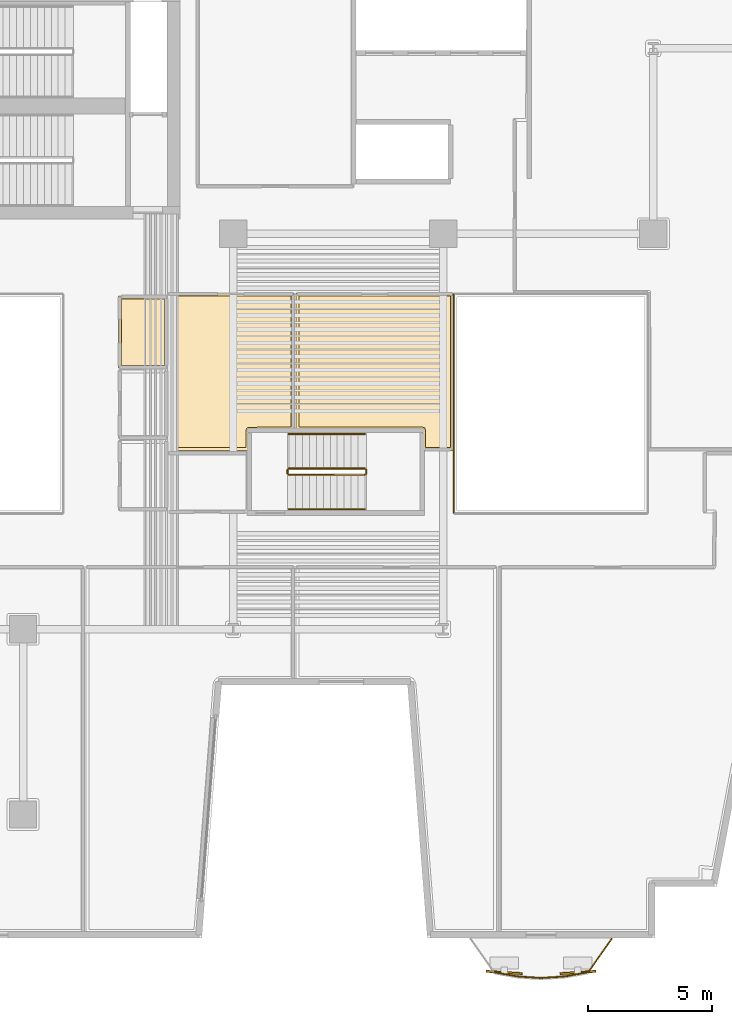
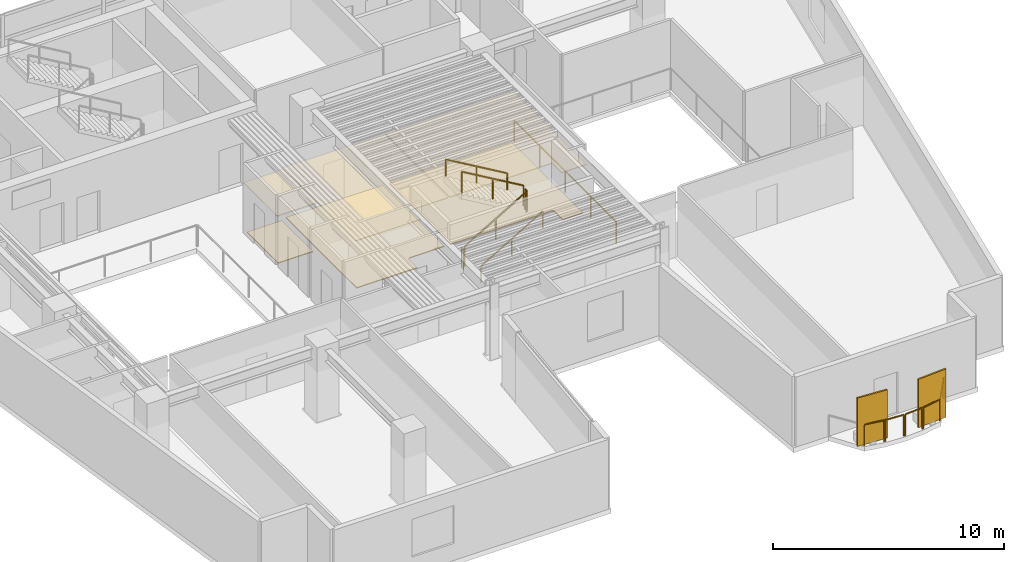
# One storey, part 10 of 12: 12 railings, 6 coverings, 2 shading devices.
"""IFC4 building model written with IfcOpenShell, lengths in metres."""

from ifc_helpers import new_model, si_unit, direction, frame, origin, origin_2d, place, context, subcontext, project, spatial, polyline, rectangle, outline, extrude, material, layer, layer_set, type_object, element, save


model = new_model("IFC4")

# Units and contexts
model_context = context("Model", 3, precision=1e-05, world=origin(), true_north=direction((0.0, 1.0)))
body_context = subcontext(model_context, "Body", "Model", "MODEL_VIEW")
ifc_project = project(units=[si_unit("LENGTHUNIT", "METRE"), si_unit("AREAUNIT", "SQUARE_METRE"), si_unit("VOLUMEUNIT", "CUBIC_METRE"), si_unit("PLANEANGLEUNIT", "RADIAN"), si_unit("MASSUNIT", "GRAM", prefix="KILO")], contexts=[model_context])

# Site, building, storey
site_placement = place(None, origin())
site = spatial("IfcSite", under=ifc_project, at=site_placement, CompositionType="ELEMENT")
building_placement = place(site_placement, origin())
building = spatial("IfcBuilding", under=site, at=building_placement, Name="Caeloran Harvest Quay", CompositionType="ELEMENT")
storey_placement = place(building_placement, frame((0.0, 0.0, 154.85009765625)))
storey = spatial("IfcBuildingStorey", under=building, at=storey_placement, Name="L36", CompositionType="ELEMENT", Elevation=154.85009765625)

# Coverings
ifc_material_1 = material(Name="Perforated Mineral-Fibre Acoustic Ceiling Tile", Category="ceiling")
ifc_layer_1 = layer(ifc_material_1, 0.0400390625, Name="Perforated Mineral-Fibre Acoustic Ceiling Tile")
ifc_layer_set_1 = layer_set([ifc_layer_1], Name="Perforated Mineral-Fibre Acoustic Ceiling Tile")
covering_type_1 = type_object("IfcCoveringType", Name="COV-CEILING-ACOUSTIC", PredefinedType="CEILING", material=ifc_layer_set_1)
covering_1_placement = place(storey_placement, frame((0.0, 0.0, 2.599853515625)))
element("IfcCovering", 1, at=covering_1_placement, inside=storey, type_object=covering_type_1, Name="L36 Male Washroom WC Acoustic Ceiling", PredefinedType="CEILING", context=body_context, shape_type="SweptSolid", body=[
    extrude(outline(polyline([(22.840087890625, 25.56005859375), (20.8701171875, 25.56005859375), (20.8701171875, 28.489990234375), (22.840087890625, 28.489990234375), (22.840087890625, 25.56005859375)])), origin(), (0.0, 0.0, 1.0), 0.0400390625),
])
covering_2_placement = place(storey_placement, frame((0.0, 0.0, 2.599853515625)))
element("IfcCovering", 2, at=covering_2_placement, inside=storey, type_object=covering_type_1, Name="Client Reception Salon Lounge Acoustic Ceiling", PredefinedType="CEILING", context=body_context, shape_type="SweptSolid", body=[
    extrude(outline(polyline([(22.8701171875, 28.512939453125), (22.85009765625, 28.52001953125), (22.85009765625, 28.610107421875), (27.9599609375, 28.610107421875), (27.9599609375, 23.06005859375), (26.139892578125, 23.06005859375), (26.139892578125, 22.239990234375), (22.8701171875, 22.239990234375), (22.8701171875, 28.512939453125)])), origin(), (0.0, 0.0, 1.0), 0.0400390625),
])
covering_3_placement = place(storey_placement, frame((0.0, 0.0, 2.599853515625)))
element("IfcCovering", 3, at=covering_3_placement, inside=storey, type_object=covering_type_1, Name="Supply-Chain Digital Trading Floor Office 9 Acoustic Ceiling", PredefinedType="CEILING", context=body_context, shape_type="SweptSolid", body=[
    extrude(outline(polyline([(33.159912109375, 23.06005859375), (28.0400390625, 23.06005859375), (28.0400390625, 28.610107421875), (34.409912109375, 28.610107421875), (34.409912109375, 22.239990234375), (33.159912109375, 22.239990234375), (33.159912109375, 23.06005859375)])), origin(), (0.0, 0.0, 1.0), 0.0400390625),
])
ifc_material_2 = material(Name="Calcium-Sulphate Raised Access Floor and Terrazzo Finish", Category="flooring")
ifc_layer_2 = layer(ifc_material_2, 0.050048828125, Name="Calcium-Sulphate Raised Access Floor and Terrazzo Finish")
ifc_layer_set_2 = layer_set([ifc_layer_2], Name="Calcium-Sulphate Raised Access Floor and Terrazzo Finish")
covering_type_2 = type_object("IfcCoveringType", Name="COV-FLOOR-RAISED", PredefinedType="FLOORING", material=ifc_layer_set_2)
covering_4_placement = place(storey_placement, origin())
element("IfcCovering", 4, at=covering_4_placement, inside=storey, type_object=covering_type_2, Name="L36 Male Washroom WC Raised Finish Flooring", PredefinedType="FLOORING", context=body_context, shape_type="SweptSolid", body=[
    extrude(outline(polyline([(22.719970703125, 25.679931640625), (20.989990234375, 25.679931640625), (20.989990234375, 28.3701171875), (22.719970703125, 28.3701171875), (22.719970703125, 25.679931640625)])), origin(), (0.0, 0.0, 1.0), 0.0498046875),
])
covering_5_placement = place(storey_placement, origin())
element("IfcCovering", 5, at=covering_5_placement, inside=storey, type_object=covering_type_2, Name="Client Reception Salon Lounge Raised Finish Flooring", PredefinedType="FLOORING", context=body_context, shape_type="SweptSolid", body=[
    extrude(outline(polyline([(22.989990234375, 28.489990234375), (27.840087890625, 28.489990234375), (27.840087890625, 23.179931640625), (26.084228515625, 23.169921875), (26.020263671875, 23.076904296875), (26.02001953125, 22.360107421875), (22.989990234375, 22.360107421875), (22.989990234375, 28.489990234375)])), origin(), (0.0, 0.0, 1.0), 0.0498046875),
])
covering_6_placement = place(storey_placement, origin())
element("IfcCovering", 6, at=covering_6_placement, inside=storey, type_object=covering_type_2, Name="Supply-Chain Digital Trading Floor Office 9 Raised Finish Flooring", PredefinedType="FLOORING", context=body_context, shape_type="SweptSolid", body=[
    extrude(outline(polyline([(33.280029296875, 23.070068359375), (33.25048828125, 23.14501953125), (33.169921875, 23.179931640625), (28.159912109375, 23.179931640625), (28.159912109375, 28.489990234375), (34.2900390625, 28.489990234375), (34.2900390625, 22.360107421875), (33.280029296875, 22.360107421875), (33.280029296875, 23.070068359375)])), origin(), (0.0, 0.0, 1.0), 0.0498046875),
])

# Railings
ifc_material_3 = material(Name="Powder-Coated Steel Post and Laminated Glass Guardrail", Category="steel")
ifc_layer_3 = layer(ifc_material_3, 0.06005859375, Name="Powder-Coated Steel Post and Laminated Glass Guardrail")
ifc_layer_set_3 = layer_set([ifc_layer_3], Name="Powder-Coated Steel Post and Laminated Glass Guardrail")
railing_type_1 = type_object("IfcRailingType", Name="GUARD-ATRIUM-1150", PredefinedType="GUARDRAIL", material=ifc_layer_set_3)
railing_1_placement = place(storey_placement, frame((34.429931640625, 28.5380859375, 0.0)))
element("IfcRailing", 7, at=railing_1_placement, inside=storey, type_object=railing_type_1, Name="L36 East Botanical Lightwell Guardrail Seg 4", PredefinedType="GUARDRAIL", context=body_context, shape_type="SweptSolid", body=[
    extrude(rectangle(XDim=0.048095703125, YDim=0.048095703125, at=origin_2d()), frame((0.0, 0.0, 1.1259765625), z_axis=(0.0, -1.0, 0.0), x_axis=(1.0, 0.0, 0.0)), (0.0, 0.0, 1.0), 8.826171875),
    extrude(rectangle(XDim=0.0419921875, YDim=0.0419921875, at=origin_2d()), origin(), (0.0, 0.0, 1.0), 1.101806640625),
    extrude(rectangle(XDim=0.0419921875, YDim=0.0419921875, at=origin_2d()), frame((0.0, -2.20654296875, 0.0)), (0.0, 0.0, 1.0), 1.101806640625),
    extrude(rectangle(XDim=0.0419921875, YDim=0.0419921875, at=origin_2d()), frame((0.0, -4.4130859375, 0.0)), (0.0, 0.0, 1.0), 1.101806640625),
    extrude(rectangle(XDim=0.0419921875, YDim=0.0419921875, at=origin_2d()), frame((0.0, -6.61962890625, 0.0)), (0.0, 0.0, 1.0), 1.101806640625),
    extrude(rectangle(XDim=0.0419921875, YDim=0.0419921875, at=origin_2d()), frame((0.0, -8.826171875, 0.0)), (0.0, 0.0, 1.0), 1.101806640625),
])
ifc_material_4 = material(Name="Laminated Safety Glass and Stainless Steel 316", Category="steel")
ifc_layer_4 = layer(ifc_material_4, 0.06005859375, Name="Laminated Safety Glass and Stainless Steel 316")
ifc_layer_set_4 = layer_set([ifc_layer_4], Name="Laminated Safety Glass and Stainless Steel 316")
railing_type_2 = type_object("IfcRailingType", Name="GUARD-BALUSTRADE-1150", PredefinedType="BALUSTRADE", material=ifc_layer_set_4)
railing_2_placement = place(storey_placement, frame((40.825927734375, 2.47998046875, 0.0)))
element("IfcRailing", 8, at=railing_2_placement, inside=storey, type_object=railing_type_2, Name="L36 Planted Balcony Perimeter Balustrade Guard Seg 1", PredefinedType="BALUSTRADE", context=body_context, shape_type="SweptSolid", body=[
    extrude(rectangle(XDim=0.048095703125, YDim=0.048095703125, at=origin_2d()), frame((0.0, 0.0, 1.1259765625), z_axis=(-0.576147163923, -0.817345976624, 0.0), x_axis=(0.817345976624, -0.576147163923, 0.0)), (0.0, 0.0, 1.0), 1.627685546875),
    extrude(rectangle(XDim=0.0419921875, YDim=0.0419921875, at=origin_2d()), origin(), (0.0, 0.0, 1.0), 1.101806640625),
    extrude(rectangle(XDim=0.0419921875, YDim=0.0419921875, at=origin_2d()), frame((-0.937744140625, -1.330322265625, 0.0)), (0.0, 0.0, 1.0), 1.101806640625),
])
railing_3_placement = place(storey_placement, frame((39.83837890625, 1.11767578125, 0.0)))
element("IfcRailing", 9, at=railing_3_placement, inside=storey, type_object=railing_type_2, Name="L36 Planted Balcony Perimeter Balustrade Guard Seg 2", PredefinedType="BALUSTRADE", context=body_context, shape_type="SweptSolid", body=[
    extrude(rectangle(XDim=0.048095703125, YDim=0.048095703125, at=origin_2d()), frame((0.0, 0.0, 1.1259765625), z_axis=(-0.983968748119, -0.17834097321, 0.0), x_axis=(0.17834097321, -0.983968748119, 0.0)), (0.0, 0.0, 1.0), 0.90771484375),
    extrude(rectangle(XDim=0.0419921875, YDim=0.0419921875, at=origin_2d()), origin(), (0.0, 0.0, 1.0), 1.101806640625),
    extrude(rectangle(XDim=0.0419921875, YDim=0.0419921875, at=origin_2d()), frame((-0.89306640625, -0.161865234375, 0.0)), (0.0, 0.0, 1.0), 1.101806640625),
])
railing_4_placement = place(storey_placement, frame((38.8818359375, 0.947998046875, 0.0)))
element("IfcRailing", 10, at=railing_4_placement, inside=storey, type_object=railing_type_2, Name="L36 Planted Balcony Perimeter Balustrade Guard Seg 3", PredefinedType="BALUSTRADE", context=body_context, shape_type="SweptSolid", body=[
    extrude(rectangle(XDim=0.048095703125, YDim=0.048095703125, at=origin_2d()), frame((0.0, 0.0, 1.1259765625), z_axis=(-0.997815254153, -0.066066016828, 0.0), x_axis=(0.066066016828, -0.997815254153, 0.0)), (0.0, 0.0, 1.0), 0.894287109375),
    extrude(rectangle(XDim=0.0419921875, YDim=0.0419921875, at=origin_2d()), origin(), (0.0, 0.0, 1.0), 1.101806640625),
    extrude(rectangle(XDim=0.0419921875, YDim=0.0419921875, at=origin_2d()), frame((-0.892333984375, -0.05908203125, 0.0)), (0.0, 0.0, 1.0), 1.101806640625),
])
railing_5_placement = place(storey_placement, frame((37.925537109375, 0.888916015625, 0.0)))
element("IfcRailing", 11, at=railing_5_placement, inside=storey, type_object=railing_type_2, Name="L36 Planted Balcony Perimeter Balustrade Guard Seg 4", PredefinedType="BALUSTRADE", context=body_context, shape_type="SweptSolid", body=[
    extrude(rectangle(XDim=0.048095703125, YDim=0.048095703125, at=origin_2d()), frame((0.0, 0.0, 1.1259765625), z_axis=(-0.997815254153, 0.066066016828, 0.0), x_axis=(-0.066066016828, -0.997815254153, 0.0)), (0.0, 0.0, 1.0), 0.894287109375),
    extrude(rectangle(XDim=0.0419921875, YDim=0.0419921875, at=origin_2d()), origin(), (0.0, 0.0, 1.0), 1.101806640625),
    extrude(rectangle(XDim=0.0419921875, YDim=0.0419921875, at=origin_2d()), frame((-0.892333984375, 0.05908203125, 0.0)), (0.0, 0.0, 1.0), 1.101806640625),
])
railing_6_placement = place(storey_placement, frame((36.9697265625, 0.955810546875, 0.0)))
element("IfcRailing", 12, at=railing_6_placement, inside=storey, type_object=railing_type_2, Name="L36 Planted Balcony Perimeter Balustrade Guard Seg 5", PredefinedType="BALUSTRADE", context=body_context, shape_type="SweptSolid", body=[
    extrude(rectangle(XDim=0.048095703125, YDim=0.048095703125, at=origin_2d()), frame((0.0, 0.0, 1.1259765625), z_axis=(-0.983968748119, 0.17834097321, 0.0), x_axis=(-0.17834097321, -0.983968748119, 0.0)), (0.0, 0.0, 1.0), 0.90771484375),
    extrude(rectangle(XDim=0.0419921875, YDim=0.0419921875, at=origin_2d()), origin(), (0.0, 0.0, 1.0), 1.101806640625),
    extrude(rectangle(XDim=0.0419921875, YDim=0.0419921875, at=origin_2d()), frame((-0.89306640625, 0.161865234375, 0.0)), (0.0, 0.0, 1.0), 1.101806640625),
])

# Shading devices
ifc_material_5 = material(Name="3003-H14 Perforated Powder-Coated Aluminium", Category="aluminium")
shading_device_type = type_object("IfcShadingDeviceType", Name="SHADE-SCREEN-FOLDED", PredefinedType="USERDEFINED", material=ifc_material_5)
for number, where, z_axis, x_axis, name in (
    (13, (39.44921875, 1.111328125, 0.07470703125), (0.0, 0.0, 1.0), (0.997801468292, 0.0662739004, 0.0), "L36 Folded Facade Breathing Screen 1"),
    (14, (36.4658203125, 1.111328125, 0.07470703125), (0.0, 0.0, 1.0), (0.997801468292, -0.0662739004, 0.0), "L36 Folded Facade Breathing Screen 2"),
):
    element("IfcShadingDevice", number, at=place(storey_placement, frame(where, z_axis=z_axis, x_axis=x_axis)), inside=storey, type_object=shading_device_type, Name=name, ObjectType="SCREEN", PredefinedType="USERDEFINED", context=body_context, shape_type="SweptSolid", body=[
        extrude(rectangle(XDim=1.449951171875, YDim=0.080078125, at=origin_2d()), origin(), (0.0, 0.0, 1.0), 2.550048828125),
    ])

# Railings
ifc_material_6 = material(Name="Painted Steel Baluster and Top-Rail Stair Guard", Category="steel")
ifc_layer_5 = layer(ifc_material_6, 0.050048828125, Name="Painted Steel Baluster and Top-Rail Stair Guard")
ifc_layer_set_5 = layer_set([ifc_layer_5], Name="Painted Steel Baluster and Top-Rail Stair Guard")
railing_type_3 = type_object("IfcRailingType", Name="STAIR-GUARD-1100", PredefinedType="GUARDRAIL", material=ifc_layer_set_5)
railing_7_placement = place(storey_placement, frame((27.75, 21.25, 0.16455078125)))
element("IfcRailing", 15, at=railing_7_placement, inside=storey, type_object=railing_type_3, Name="L36 ST-W1 stair guard 1", PredefinedType="GUARDRAIL", context=body_context, shape_type="SweptSolid", body=[
    extrude(rectangle(XDim=0.048095703125, YDim=0.048095703125, at=origin_2d()), frame((0.0, 0.0, 1.076171875), z_axis=(0.862118610829, 0.0, 0.506706523406), x_axis=(0.0, 1.0, 0.0)), (0.0, 0.0, 1.0), 3.57275390625),
    extrude(rectangle(XDim=0.0419921875, YDim=0.0419921875, at=origin_2d()), origin(), (0.0, 0.0, 1.0), 1.052001953125),
    extrude(rectangle(XDim=0.0419921875, YDim=0.0419921875, at=origin_2d()), frame((1.5400390625, 0.0, 0.9052734375)), (0.0, 0.0, 1.0), 1.052001953125),
    extrude(rectangle(XDim=0.0419921875, YDim=0.0419921875, at=origin_2d()), frame((3.080078125, 0.0, 1.810302734375)), (0.0, 0.0, 1.0), 1.052001953125),
])
railing_8_placement = place(storey_placement, frame((30.8798828125, 21.300048828125, 1.974853515625)))
element("IfcRailing", 16, at=railing_8_placement, inside=storey, type_object=railing_type_3, Name="L36 ST-W1 stair guard 2", PredefinedType="GUARDRAIL", context=body_context, shape_type="SweptSolid", body=[
    extrude(rectangle(XDim=0.048095703125, YDim=0.048095703125, at=origin_2d()), frame((0.0, 0.0, 1.076171875), z_axis=(0.0, 1.0, 0.0), x_axis=(-1.0, 0.0, 0.0)), (0.0, 0.0, 1.0), 0.14990234375),
    extrude(rectangle(XDim=0.0419921875, YDim=0.0419921875, at=origin_2d()), origin(), (0.0, 0.0, 1.0), 1.052001953125),
    extrude(rectangle(XDim=0.0419921875, YDim=0.0419921875, at=origin_2d()), frame((0.0, 0.14990234375, 0.0)), (0.0, 0.0, 1.0), 1.052001953125),
])
railing_9_placement = place(storey_placement, frame((30.830078125, 21.5, 2.139404296875)))
element("IfcRailing", 17, at=railing_9_placement, inside=storey, type_object=railing_type_3, Name="L36 ST-W1 stair guard 3", PredefinedType="GUARDRAIL", context=body_context, shape_type="SweptSolid", body=[
    extrude(rectangle(XDim=0.048095703125, YDim=0.048095703125, at=origin_2d()), frame((0.0, 0.0, 1.076171875), z_axis=(-0.862088758681, 0.0, 0.506757310905), x_axis=(0.0, -1.0, 0.0)), (0.0, 0.0, 1.0), 3.57275390625),
    extrude(rectangle(XDim=0.0419921875, YDim=0.0419921875, at=origin_2d()), origin(), (0.0, 0.0, 1.0), 1.052001953125),
    extrude(rectangle(XDim=0.0419921875, YDim=0.0419921875, at=origin_2d()), frame((-1.5400390625, 0.0, 0.9052734375)), (0.0, 0.0, 1.0), 1.052001953125),
    extrude(rectangle(XDim=0.0419921875, YDim=0.0419921875, at=origin_2d()), frame((-3.080078125, 0.0, 1.810546875)), (0.0, 0.0, 1.0), 1.052001953125),
])
railing_10_placement = place(storey_placement, frame((27.699951171875, 21.300048828125, 0.0)))
element("IfcRailing", 18, at=railing_10_placement, inside=storey, type_object=railing_type_3, Name="L36 ST-W1 stair guard 4", PredefinedType="GUARDRAIL", context=body_context, shape_type="SweptSolid", body=[
    extrude(rectangle(XDim=0.048095703125, YDim=0.048095703125, at=origin_2d()), frame((0.0, 0.0, 1.076171875), z_axis=(0.0, 1.0, 0.0), x_axis=(-1.0, 0.0, 0.0)), (0.0, 0.0, 1.0), 0.14990234375),
    extrude(rectangle(XDim=0.0419921875, YDim=0.0419921875, at=origin_2d()), origin(), (0.0, 0.0, 1.0), 1.052001953125),
    extrude(rectangle(XDim=0.0419921875, YDim=0.0419921875, at=origin_2d()), frame((0.0, 0.14990234375, 0.0)), (0.0, 0.0, 1.0), 1.052001953125),
])
ifc_material_7 = material(Name="Brushed Stainless Steel Grade 304", Category="steel")
ifc_layer_6 = layer(ifc_material_7, 0.050048828125, Name="Brushed Stainless Steel Grade 304")
ifc_layer_set_6 = layer_set([ifc_layer_6], Name="Brushed Stainless Steel Grade 304")
railing_type_4 = type_object("IfcRailingType", Name="STAIR-HANDRAIL-900", PredefinedType="HANDRAIL", material=ifc_layer_set_6)
railing_11_placement = place(storey_placement, frame((27.75, 19.85009765625, 0.16455078125)))
element("IfcRailing", 19, at=railing_11_placement, inside=storey, type_object=railing_type_4, Name="L36 ST-W1 stair handrail 1", PredefinedType="HANDRAIL", context=body_context, shape_type="SweptSolid", body=[
    extrude(rectangle(XDim=0.048095703125, YDim=0.048095703125, at=origin_2d()), frame((0.0, 0.0, 0.8759765625), z_axis=(0.862118610829, 0.0, 0.506706523406), x_axis=(0.0, 1.0, 0.0)), (0.0, 0.0, 1.0), 3.57275390625),
    extrude(rectangle(XDim=0.0419921875, YDim=0.0419921875, at=origin_2d()), origin(), (0.0, 0.0, 1.0), 0.851806640625),
    extrude(rectangle(XDim=0.0419921875, YDim=0.0419921875, at=origin_2d()), frame((1.5400390625, 0.0, 0.9052734375)), (0.0, 0.0, 1.0), 0.851806640625),
    extrude(rectangle(XDim=0.0419921875, YDim=0.0419921875, at=origin_2d()), frame((3.080078125, 0.0, 1.810302734375)), (0.0, 0.0, 1.0), 0.851806640625),
])
railing_12_placement = place(storey_placement, frame((30.830078125, 22.89990234375, 2.139404296875)))
element("IfcRailing", 20, at=railing_12_placement, inside=storey, type_object=railing_type_4, Name="L36 ST-W1 stair handrail 2", PredefinedType="HANDRAIL", context=body_context, shape_type="SweptSolid", body=[
    extrude(rectangle(XDim=0.048095703125, YDim=0.048095703125, at=origin_2d()), frame((0.0, 0.0, 0.8759765625), z_axis=(-0.862088758681, 0.0, 0.506757310905), x_axis=(0.0, -1.0, 0.0)), (0.0, 0.0, 1.0), 3.57275390625),
    extrude(rectangle(XDim=0.0419921875, YDim=0.0419921875, at=origin_2d()), origin(), (0.0, 0.0, 1.0), 0.851806640625),
    extrude(rectangle(XDim=0.0419921875, YDim=0.0419921875, at=origin_2d()), frame((-1.5400390625, 0.0, 0.9052734375)), (0.0, 0.0, 1.0), 0.851806640625),
    extrude(rectangle(XDim=0.0419921875, YDim=0.0419921875, at=origin_2d()), frame((-3.080078125, 0.0, 1.810546875)), (0.0, 0.0, 1.0), 0.851806640625),
])

save(model, "model.ifc")
